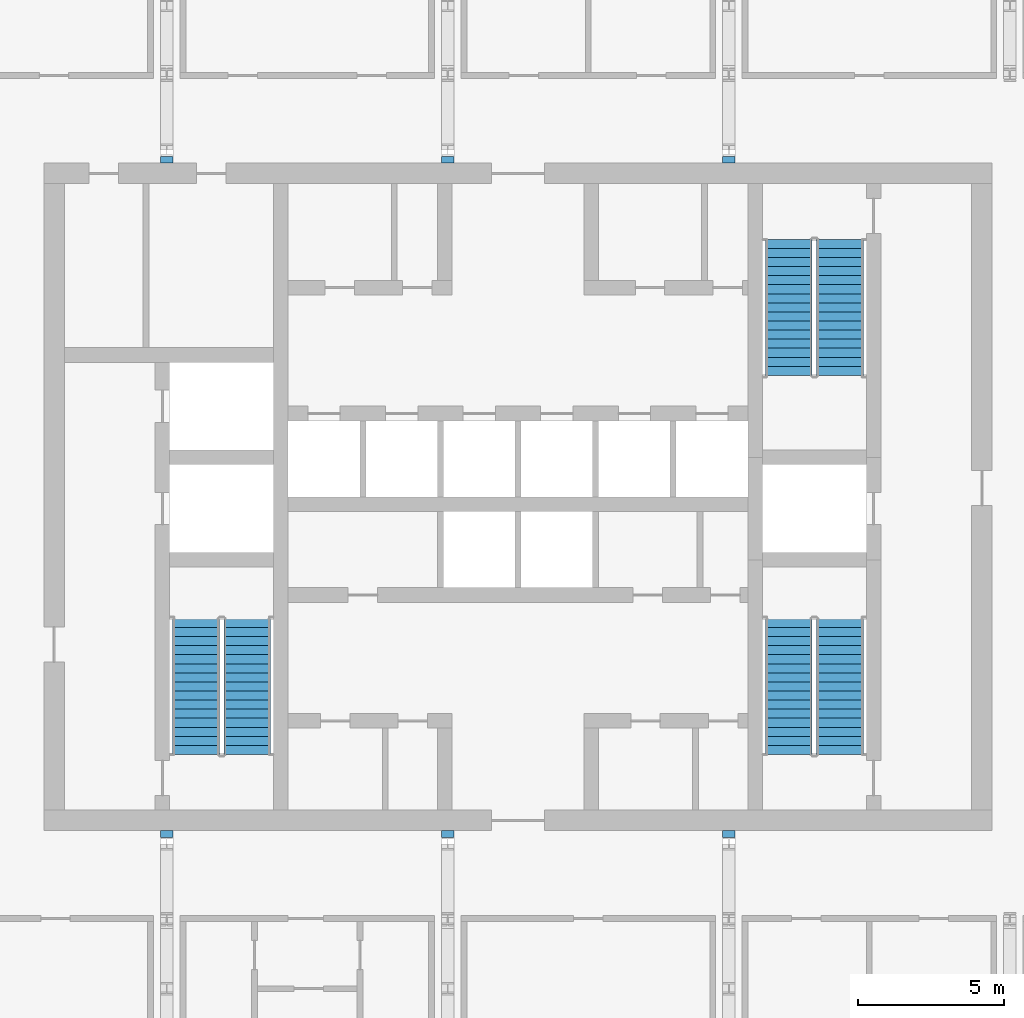
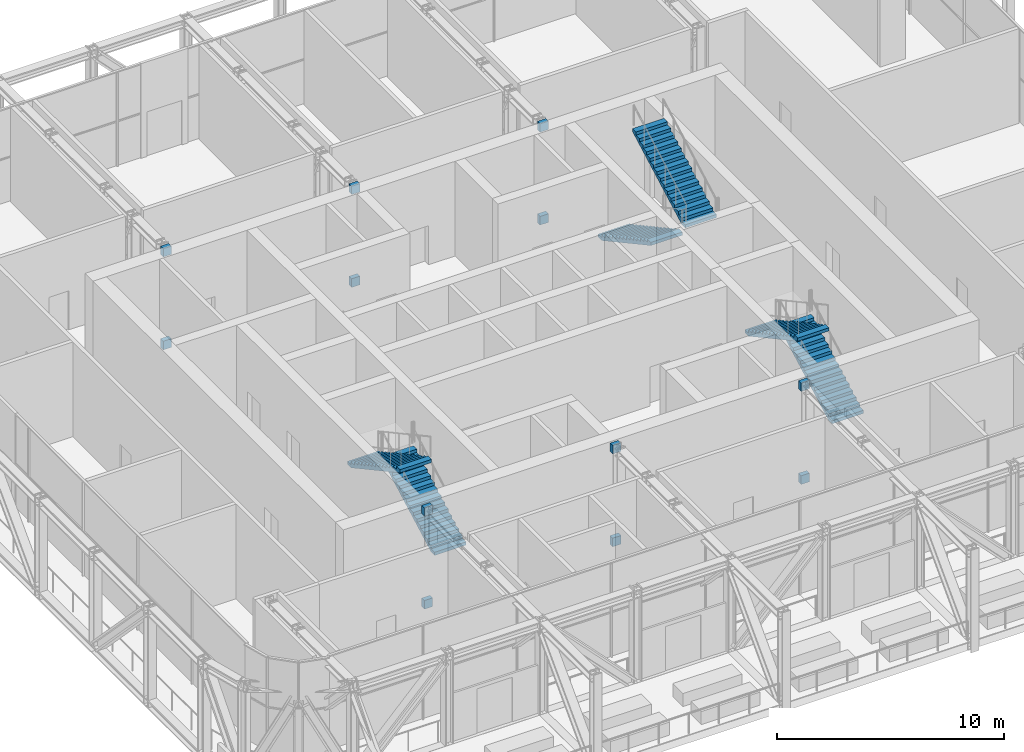
# One storey, part 17 of 22: 12 discrete accessories, 6 stair flights, 3 elements without a shape of their own.
"""IFC4 building model written with IfcOpenShell, lengths in metres."""

from ifc_helpers import new_model, si_unit, direction, frame, origin, origin_2d, place, context, subcontext, project, spatial, polyline, rectangle, outline, extrude, material, type_object, element, aggregate, save


model = new_model("IFC4")

# Units and contexts
model_context = context("Model", 3, precision=1e-05, world=origin(), true_north=direction((0.0, 1.0)))
body_context = subcontext(model_context, "Body", "Model", "MODEL_VIEW")
ifc_project = project(units=[si_unit("LENGTHUNIT", "METRE"), si_unit("AREAUNIT", "SQUARE_METRE"), si_unit("VOLUMEUNIT", "CUBIC_METRE"), si_unit("PLANEANGLEUNIT", "RADIAN"), si_unit("MASSUNIT", "GRAM", prefix="KILO")], contexts=[model_context])

# Site, building, storey
site_placement = place(None, origin())
site = spatial("IfcSite", under=ifc_project, at=site_placement, CompositionType="ELEMENT")
building_placement = place(site_placement, origin())
building = spatial("IfcBuilding", under=site, at=building_placement, Name="Madar Terraces", CompositionType="ELEMENT")
storey_placement = place(building_placement, frame((0.0, 0.0, 203.39990234375)))
storey = spatial("IfcBuildingStorey", under=building, at=storey_placement, Name="L53", CompositionType="ELEMENT", Elevation=203.39990234375)

# Stair, stair flights
ifc_material_1 = material(Name="Concrete C50/60", Category="concrete")
stair_type_1 = type_object("IfcStairType", Name="Stair ST1 protected exit", PredefinedType="HALF_TURN_STAIR", material=ifc_material_1)
stair_1_placement = place(storey_placement, origin())
stair_1 = element("IfcStair", 1, at=stair_1_placement, inside=storey, type_object=stair_type_1, Name="L53 Protected Exit Stair ST1", PredefinedType="HALF_TURN_STAIR")
ifc_material_2 = material(Name="Concrete C50/60", Category="concrete")
stair_flight_type_1 = type_object("IfcStairFlightType", Name="Stair flight ST1-F3, 1600 wide, 16 risers", PredefinedType="STRAIGHT", material=ifc_material_2)
stair_flight_1_placement = place(storey_placement, frame((21.949951171875, 17.60009765625, 0.0), z_axis=(0.0, 0.0, 1.0), x_axis=(0.0, 1.0, 0.0)))
stair_flight_1 = element("IfcStairFlight", 2, at=stair_flight_1_placement, type_object=stair_flight_type_1, Name="ST1 flight 1", NumberOfRisers=16, NumberOfTreads=15, PredefinedType="STRAIGHT", RiserHeight=0.16875, TreadLength=0.31, context=body_context, shape_type="SweptSolid", body=[
    extrude(outline(polyline([(0.0, 0.0), (0.0, 0.168701171875), (0.31005859375, 0.168701171875), (0.31005859375, 0.33740234375), (0.6201171875, 0.33740234375), (0.6201171875, 0.50634765625), (0.929931640625, 0.50634765625), (0.929931640625, 0.675048828125), (1.239990234375, 0.675048828125), (1.239990234375, 0.84375), (1.550048828125, 0.84375), (1.550048828125, 1.012451171875), (1.860107421875, 1.012451171875), (1.860107421875, 1.18115234375), (2.169921875, 1.18115234375), (2.169921875, 1.35009765625), (2.47998046875, 1.35009765625), (2.47998046875, 1.518798828125), (2.7900390625, 1.518798828125), (2.7900390625, 1.6875), (3.10009765625, 1.6875), (3.10009765625, 1.856201171875), (3.409912109375, 1.856201171875), (3.409912109375, 2.02490234375), (3.719970703125, 2.02490234375), (3.719970703125, 2.19384765625), (4.030029296875, 2.19384765625), (4.030029296875, 2.362548828125), (4.340087890625, 2.362548828125), (4.340087890625, 2.53125), (4.64990234375, 2.53125), (4.64990234375, 2.699951171875), (4.64990234375, 2.360595703125), (0.3134765625, 0.0), (0.0, 0.0)])), frame((0.0, 0.800048828125, 0.0), z_axis=(0.0, -1.0, 0.0), x_axis=(1.0, 0.0, 0.0)), (0.0, 0.0, 1.0), 1.60009765625),
])
stair_flight_2_placement = place(storey_placement, frame((20.199951171875, 22.25, 2.7001953125), z_axis=(0.0, 0.0, 1.0), x_axis=(0.0, -1.0, 0.0)))
stair_flight_2 = element("IfcStairFlight", 3, at=stair_flight_2_placement, type_object=stair_flight_type_1, Name="ST1 flight 2", NumberOfRisers=16, NumberOfTreads=15, PredefinedType="STRAIGHT", RiserHeight=0.16875, TreadLength=0.31, context=body_context, shape_type="SweptSolid", body=[
    extrude(outline(polyline([(0.0, 0.0), (0.0, 0.168701171875), (0.31005859375, 0.168701171875), (0.31005859375, 0.33740234375), (0.6201171875, 0.33740234375), (0.6201171875, 0.50634765625), (0.929931640625, 0.50634765625), (0.929931640625, 0.675048828125), (1.239990234375, 0.675048828125), (1.239990234375, 0.84375), (1.550048828125, 0.84375), (1.550048828125, 1.012451171875), (1.860107421875, 1.012451171875), (1.860107421875, 1.18115234375), (2.169921875, 1.18115234375), (2.169921875, 1.35009765625), (2.47998046875, 1.35009765625), (2.47998046875, 1.518798828125), (2.7900390625, 1.518798828125), (2.7900390625, 1.6875), (3.10009765625, 1.6875), (3.10009765625, 1.856201171875), (3.409912109375, 1.856201171875), (3.409912109375, 2.02490234375), (3.719970703125, 2.02490234375), (3.719970703125, 2.19384765625), (4.030029296875, 2.19384765625), (4.030029296875, 2.362548828125), (4.340087890625, 2.362548828125), (4.340087890625, 2.53125), (4.64990234375, 2.53125), (4.64990234375, 2.699951171875), (4.64990234375, 2.360595703125), (0.3134765625, 0.0), (0.0, 0.0)])), frame((0.0, 0.800048828125, 0.0), z_axis=(0.0, -1.0, 0.0), x_axis=(1.0, 0.0, 0.0)), (0.0, 0.0, 1.0), 1.60009765625),
])
aggregate(stair_1, [stair_flight_1, stair_flight_2])

ifc_material_3 = material(Name="Concrete C50/60", Category="concrete")
stair_type_2 = type_object("IfcStairType", Name="Stair ST2 protected exit", PredefinedType="HALF_TURN_STAIR", material=ifc_material_3)
stair_2_placement = place(storey_placement, origin())
stair_2 = element("IfcStair", 4, at=stair_2_placement, inside=storey, type_object=stair_type_2, Name="L53 Protected Exit Stair ST2", PredefinedType="HALF_TURN_STAIR")
ifc_material_4 = material(Name="Concrete C50/60", Category="concrete")
stair_flight_type_2 = type_object("IfcStairFlightType", Name="Stair flight ST2-F3, 1600 wide, 16 risers", PredefinedType="STRAIGHT", material=ifc_material_4)
stair_flight_3_placement = place(storey_placement, frame((40.449951171875, 35.199951171875, 0.0), z_axis=(0.0, 0.0, 1.0), x_axis=(0.0, -1.0, 0.0)))
stair_flight_3 = element("IfcStairFlight", 5, at=stair_flight_3_placement, type_object=stair_flight_type_2, Name="ST2 flight 1", NumberOfRisers=16, NumberOfTreads=15, PredefinedType="STRAIGHT", RiserHeight=0.16875, TreadLength=0.31, context=body_context, shape_type="SweptSolid", body=[
    extrude(outline(polyline([(0.0, 0.0), (0.0, 0.168701171875), (0.31005859375, 0.168701171875), (0.31005859375, 0.33740234375), (0.6201171875, 0.33740234375), (0.6201171875, 0.50634765625), (0.929931640625, 0.50634765625), (0.929931640625, 0.675048828125), (1.239990234375, 0.675048828125), (1.239990234375, 0.84375), (1.550048828125, 0.84375), (1.550048828125, 1.012451171875), (1.860107421875, 1.012451171875), (1.860107421875, 1.18115234375), (2.169921875, 1.18115234375), (2.169921875, 1.35009765625), (2.47998046875, 1.35009765625), (2.47998046875, 1.518798828125), (2.7900390625, 1.518798828125), (2.7900390625, 1.6875), (3.10009765625, 1.6875), (3.10009765625, 1.856201171875), (3.409912109375, 1.856201171875), (3.409912109375, 2.02490234375), (3.719970703125, 2.02490234375), (3.719970703125, 2.19384765625), (4.030029296875, 2.19384765625), (4.030029296875, 2.362548828125), (4.340087890625, 2.362548828125), (4.340087890625, 2.53125), (4.64990234375, 2.53125), (4.64990234375, 2.699951171875), (4.64990234375, 2.360595703125), (0.3134765625, 0.0), (0.0, 0.0)])), frame((0.0, 0.800048828125, 0.0), z_axis=(0.0, -1.0, 0.0), x_axis=(1.0, 0.0, 0.0)), (0.0, 0.0, 1.0), 1.60009765625),
])
stair_flight_4_placement = place(storey_placement, frame((42.199951171875, 30.550048828125, 2.7001953125), z_axis=(0.0, 0.0, 1.0), x_axis=(0.0, 1.0, 0.0)))
stair_flight_4 = element("IfcStairFlight", 6, at=stair_flight_4_placement, type_object=stair_flight_type_2, Name="ST2 flight 2", NumberOfRisers=16, NumberOfTreads=15, PredefinedType="STRAIGHT", RiserHeight=0.16875, TreadLength=0.31, context=body_context, shape_type="SweptSolid", body=[
    extrude(outline(polyline([(0.0, 0.0), (0.0, 0.168701171875), (0.31005859375, 0.168701171875), (0.31005859375, 0.33740234375), (0.6201171875, 0.33740234375), (0.6201171875, 0.50634765625), (0.929931640625, 0.50634765625), (0.929931640625, 0.675048828125), (1.239990234375, 0.675048828125), (1.239990234375, 0.84375), (1.550048828125, 0.84375), (1.550048828125, 1.012451171875), (1.860107421875, 1.012451171875), (1.860107421875, 1.18115234375), (2.169921875, 1.18115234375), (2.169921875, 1.35009765625), (2.47998046875, 1.35009765625), (2.47998046875, 1.518798828125), (2.7900390625, 1.518798828125), (2.7900390625, 1.6875), (3.10009765625, 1.6875), (3.10009765625, 1.856201171875), (3.409912109375, 1.856201171875), (3.409912109375, 2.02490234375), (3.719970703125, 2.02490234375), (3.719970703125, 2.19384765625), (4.030029296875, 2.19384765625), (4.030029296875, 2.362548828125), (4.340087890625, 2.362548828125), (4.340087890625, 2.53125), (4.64990234375, 2.53125), (4.64990234375, 2.699951171875), (4.64990234375, 2.360595703125), (0.3134765625, 0.0), (0.0, 0.0)])), frame((0.0, 0.800048828125, 0.0), z_axis=(0.0, -1.0, 0.0), x_axis=(1.0, 0.0, 0.0)), (0.0, 0.0, 1.0), 1.60009765625),
])
aggregate(stair_2, [stair_flight_3, stair_flight_4])

ifc_material_5 = material(Name="Concrete C50/60", Category="concrete")
stair_type_3 = type_object("IfcStairType", Name="Stair ST3 protected exit", PredefinedType="HALF_TURN_STAIR", material=ifc_material_5)
stair_3_placement = place(storey_placement, origin())
stair_3 = element("IfcStair", 7, at=stair_3_placement, inside=storey, type_object=stair_type_3, Name="L53 Protected Exit Stair ST3", PredefinedType="HALF_TURN_STAIR")
ifc_material_6 = material(Name="Concrete C50/60", Category="concrete")
stair_flight_type_3 = type_object("IfcStairFlightType", Name="Stair flight ST3-F3, 1600 wide, 16 risers", PredefinedType="STRAIGHT", material=ifc_material_6)
stair_flight_5_placement = place(storey_placement, frame((42.199951171875, 17.60009765625, 0.0), z_axis=(0.0, 0.0, 1.0), x_axis=(0.0, 1.0, 0.0)))
stair_flight_5 = element("IfcStairFlight", 8, at=stair_flight_5_placement, type_object=stair_flight_type_3, Name="ST3 flight 1", NumberOfRisers=16, NumberOfTreads=15, PredefinedType="STRAIGHT", RiserHeight=0.16875, TreadLength=0.31, context=body_context, shape_type="SweptSolid", body=[
    extrude(outline(polyline([(0.0, 0.0), (0.0, 0.168701171875), (0.31005859375, 0.168701171875), (0.31005859375, 0.33740234375), (0.6201171875, 0.33740234375), (0.6201171875, 0.50634765625), (0.929931640625, 0.50634765625), (0.929931640625, 0.675048828125), (1.239990234375, 0.675048828125), (1.239990234375, 0.84375), (1.550048828125, 0.84375), (1.550048828125, 1.012451171875), (1.860107421875, 1.012451171875), (1.860107421875, 1.18115234375), (2.169921875, 1.18115234375), (2.169921875, 1.35009765625), (2.47998046875, 1.35009765625), (2.47998046875, 1.518798828125), (2.7900390625, 1.518798828125), (2.7900390625, 1.6875), (3.10009765625, 1.6875), (3.10009765625, 1.856201171875), (3.409912109375, 1.856201171875), (3.409912109375, 2.02490234375), (3.719970703125, 2.02490234375), (3.719970703125, 2.19384765625), (4.030029296875, 2.19384765625), (4.030029296875, 2.362548828125), (4.340087890625, 2.362548828125), (4.340087890625, 2.53125), (4.64990234375, 2.53125), (4.64990234375, 2.699951171875), (4.64990234375, 2.360595703125), (0.3134765625, 0.0), (0.0, 0.0)])), frame((0.0, 0.800048828125, 0.0), z_axis=(0.0, -1.0, 0.0), x_axis=(1.0, 0.0, 0.0)), (0.0, 0.0, 1.0), 1.60009765625),
])
stair_flight_6_placement = place(storey_placement, frame((40.449951171875, 22.25, 2.7001953125), z_axis=(0.0, 0.0, 1.0), x_axis=(0.0, -1.0, 0.0)))
stair_flight_6 = element("IfcStairFlight", 9, at=stair_flight_6_placement, type_object=stair_flight_type_3, Name="ST3 flight 2", NumberOfRisers=16, NumberOfTreads=15, PredefinedType="STRAIGHT", RiserHeight=0.16875, TreadLength=0.31, context=body_context, shape_type="SweptSolid", body=[
    extrude(outline(polyline([(0.0, 0.0), (0.0, 0.168701171875), (0.31005859375, 0.168701171875), (0.31005859375, 0.33740234375), (0.6201171875, 0.33740234375), (0.6201171875, 0.50634765625), (0.929931640625, 0.50634765625), (0.929931640625, 0.675048828125), (1.239990234375, 0.675048828125), (1.239990234375, 0.84375), (1.550048828125, 0.84375), (1.550048828125, 1.012451171875), (1.860107421875, 1.012451171875), (1.860107421875, 1.18115234375), (2.169921875, 1.18115234375), (2.169921875, 1.35009765625), (2.47998046875, 1.35009765625), (2.47998046875, 1.518798828125), (2.7900390625, 1.518798828125), (2.7900390625, 1.6875), (3.10009765625, 1.6875), (3.10009765625, 1.856201171875), (3.409912109375, 1.856201171875), (3.409912109375, 2.02490234375), (3.719970703125, 2.02490234375), (3.719970703125, 2.19384765625), (4.030029296875, 2.19384765625), (4.030029296875, 2.362548828125), (4.340087890625, 2.362548828125), (4.340087890625, 2.53125), (4.64990234375, 2.53125), (4.64990234375, 2.699951171875), (4.64990234375, 2.360595703125), (0.3134765625, 0.0), (0.0, 0.0)])), frame((0.0, 0.800048828125, 0.0), z_axis=(0.0, -1.0, 0.0), x_axis=(1.0, 0.0, 0.0)), (0.0, 0.0, 1.0), 1.60009765625),
])
aggregate(stair_3, [stair_flight_5, stair_flight_6])

# Discrete accessories
ifc_material_7 = material(Name="Steel, galvanised", Category="steel")
discrete_accessory_type = type_object("IfcDiscreteAccessoryType", Name="Truss bearing plate", PredefinedType="BRACKET", material=ifc_material_7)
discrete_accessory_1_placement = place(storey_placement, frame((19.199951171875, 14.881103515625, -0.419921875), z_axis=(0.0, 0.0, 1.0), x_axis=(1.0, 0.0, 0.0)))
element("IfcDiscreteAccessory", 10, at=discrete_accessory_1_placement, inside=storey, type_object=discrete_accessory_type, Name="Truss bearing plate bottom", PredefinedType="BRACKET", context=body_context, shape_type="SweptSolid", body=[
    extrude(rectangle(XDim=0.421630859375, YDim=0.23779296875, at=origin_2d()), origin(), (0.0, 0.0, 1.0), 0.46484375),
])
discrete_accessory_2_placement = place(storey_placement, frame((19.199951171875, 14.881103515625, 4.58544921875), z_axis=(0.0, 0.0, 1.0), x_axis=(1.0, 0.0, 0.0)))
element("IfcDiscreteAccessory", 11, at=discrete_accessory_2_placement, inside=storey, type_object=discrete_accessory_type, Name="Truss bearing plate top", PredefinedType="BRACKET", context=body_context, shape_type="SweptSolid", body=[
    extrude(rectangle(XDim=0.41650390625, YDim=0.23779296875, at=origin_2d()), origin(), (0.0, 0.0, 1.0), 0.444580078125),
])
discrete_accessory_3_placement = place(storey_placement, frame((28.800048828125, 14.881103515625, -0.419921875), z_axis=(0.0, 0.0, 1.0), x_axis=(1.0, 0.0, 0.0)))
element("IfcDiscreteAccessory", 12, at=discrete_accessory_3_placement, inside=storey, type_object=discrete_accessory_type, Name="Truss bearing plate bottom", PredefinedType="BRACKET", context=body_context, shape_type="SweptSolid", body=[
    extrude(rectangle(XDim=0.421630859375, YDim=0.23779296875, at=origin_2d()), origin(), (0.0, 0.0, 1.0), 0.46484375),
])
discrete_accessory_4_placement = place(storey_placement, frame((28.800048828125, 14.881103515625, 4.58544921875), z_axis=(0.0, 0.0, 1.0), x_axis=(1.0, 0.0, 0.0)))
element("IfcDiscreteAccessory", 13, at=discrete_accessory_4_placement, inside=storey, type_object=discrete_accessory_type, Name="Truss bearing plate top", PredefinedType="BRACKET", context=body_context, shape_type="SweptSolid", body=[
    extrude(rectangle(XDim=0.41650390625, YDim=0.23779296875, at=origin_2d()), origin(), (0.0, 0.0, 1.0), 0.444580078125),
])
discrete_accessory_5_placement = place(storey_placement, frame((38.39990234375, 14.881103515625, -0.419921875), z_axis=(0.0, 0.0, 1.0), x_axis=(1.0, 0.0, 0.0)))
element("IfcDiscreteAccessory", 14, at=discrete_accessory_5_placement, inside=storey, type_object=discrete_accessory_type, Name="Truss bearing plate bottom", PredefinedType="BRACKET", context=body_context, shape_type="SweptSolid", body=[
    extrude(rectangle(XDim=0.421630859375, YDim=0.23779296875, at=origin_2d()), origin(), (0.0, 0.0, 1.0), 0.46484375),
])
discrete_accessory_6_placement = place(storey_placement, frame((38.39990234375, 14.881103515625, 4.58544921875), z_axis=(0.0, 0.0, 1.0), x_axis=(1.0, 0.0, 0.0)))
element("IfcDiscreteAccessory", 15, at=discrete_accessory_6_placement, inside=storey, type_object=discrete_accessory_type, Name="Truss bearing plate top", PredefinedType="BRACKET", context=body_context, shape_type="SweptSolid", body=[
    extrude(rectangle(XDim=0.41650390625, YDim=0.23779296875, at=origin_2d()), origin(), (0.0, 0.0, 1.0), 0.444580078125),
])
discrete_accessory_7_placement = place(storey_placement, frame((19.199951171875, 37.9189453125, -0.419921875), z_axis=(0.0, 0.0, 1.0), x_axis=(1.0, 0.0, 0.0)))
element("IfcDiscreteAccessory", 16, at=discrete_accessory_7_placement, inside=storey, type_object=discrete_accessory_type, Name="Truss bearing plate bottom", PredefinedType="BRACKET", context=body_context, shape_type="SweptSolid", body=[
    extrude(rectangle(XDim=0.421630859375, YDim=0.23779296875, at=origin_2d()), origin(), (0.0, 0.0, 1.0), 0.46484375),
])
discrete_accessory_8_placement = place(storey_placement, frame((19.199951171875, 37.9189453125, 4.58544921875), z_axis=(0.0, 0.0, 1.0), x_axis=(1.0, 0.0, 0.0)))
element("IfcDiscreteAccessory", 17, at=discrete_accessory_8_placement, inside=storey, type_object=discrete_accessory_type, Name="Truss bearing plate top", PredefinedType="BRACKET", context=body_context, shape_type="SweptSolid", body=[
    extrude(rectangle(XDim=0.41650390625, YDim=0.23779296875, at=origin_2d()), origin(), (0.0, 0.0, 1.0), 0.444580078125),
])
discrete_accessory_9_placement = place(storey_placement, frame((28.800048828125, 37.9189453125, -0.419921875), z_axis=(0.0, 0.0, 1.0), x_axis=(1.0, 0.0, 0.0)))
element("IfcDiscreteAccessory", 18, at=discrete_accessory_9_placement, inside=storey, type_object=discrete_accessory_type, Name="Truss bearing plate bottom", PredefinedType="BRACKET", context=body_context, shape_type="SweptSolid", body=[
    extrude(rectangle(XDim=0.421630859375, YDim=0.23779296875, at=origin_2d()), origin(), (0.0, 0.0, 1.0), 0.46484375),
])
discrete_accessory_10_placement = place(storey_placement, frame((28.800048828125, 37.9189453125, 4.58544921875), z_axis=(0.0, 0.0, 1.0), x_axis=(1.0, 0.0, 0.0)))
element("IfcDiscreteAccessory", 19, at=discrete_accessory_10_placement, inside=storey, type_object=discrete_accessory_type, Name="Truss bearing plate top", PredefinedType="BRACKET", context=body_context, shape_type="SweptSolid", body=[
    extrude(rectangle(XDim=0.41650390625, YDim=0.23779296875, at=origin_2d()), origin(), (0.0, 0.0, 1.0), 0.444580078125),
])
discrete_accessory_11_placement = place(storey_placement, frame((38.39990234375, 37.9189453125, -0.419921875), z_axis=(0.0, 0.0, 1.0), x_axis=(1.0, 0.0, 0.0)))
element("IfcDiscreteAccessory", 20, at=discrete_accessory_11_placement, inside=storey, type_object=discrete_accessory_type, Name="Truss bearing plate bottom", PredefinedType="BRACKET", context=body_context, shape_type="SweptSolid", body=[
    extrude(rectangle(XDim=0.421630859375, YDim=0.23779296875, at=origin_2d()), origin(), (0.0, 0.0, 1.0), 0.46484375),
])
discrete_accessory_12_placement = place(storey_placement, frame((38.39990234375, 37.9189453125, 4.58544921875), z_axis=(0.0, 0.0, 1.0), x_axis=(1.0, 0.0, 0.0)))
element("IfcDiscreteAccessory", 21, at=discrete_accessory_12_placement, inside=storey, type_object=discrete_accessory_type, Name="Truss bearing plate top", PredefinedType="BRACKET", context=body_context, shape_type="SweptSolid", body=[
    extrude(rectangle(XDim=0.41650390625, YDim=0.23779296875, at=origin_2d()), origin(), (0.0, 0.0, 1.0), 0.444580078125),
])

save(model, "model.ifc")
